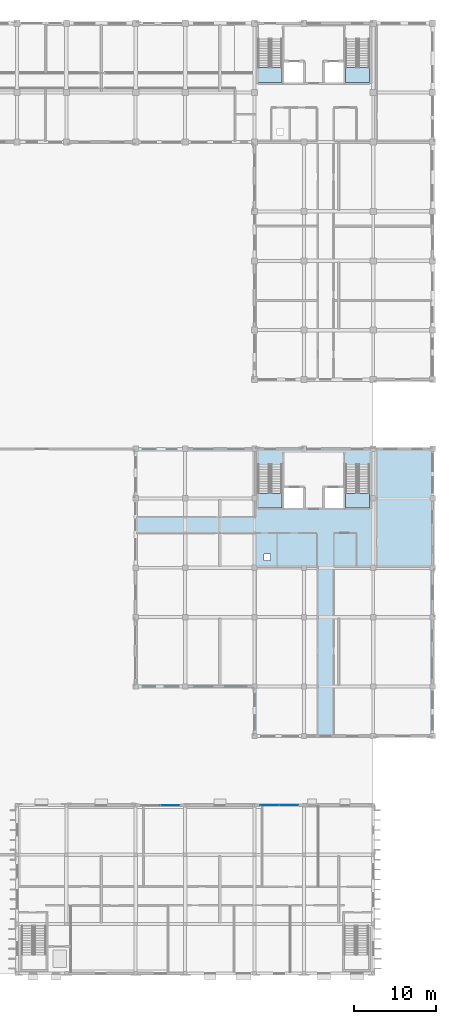
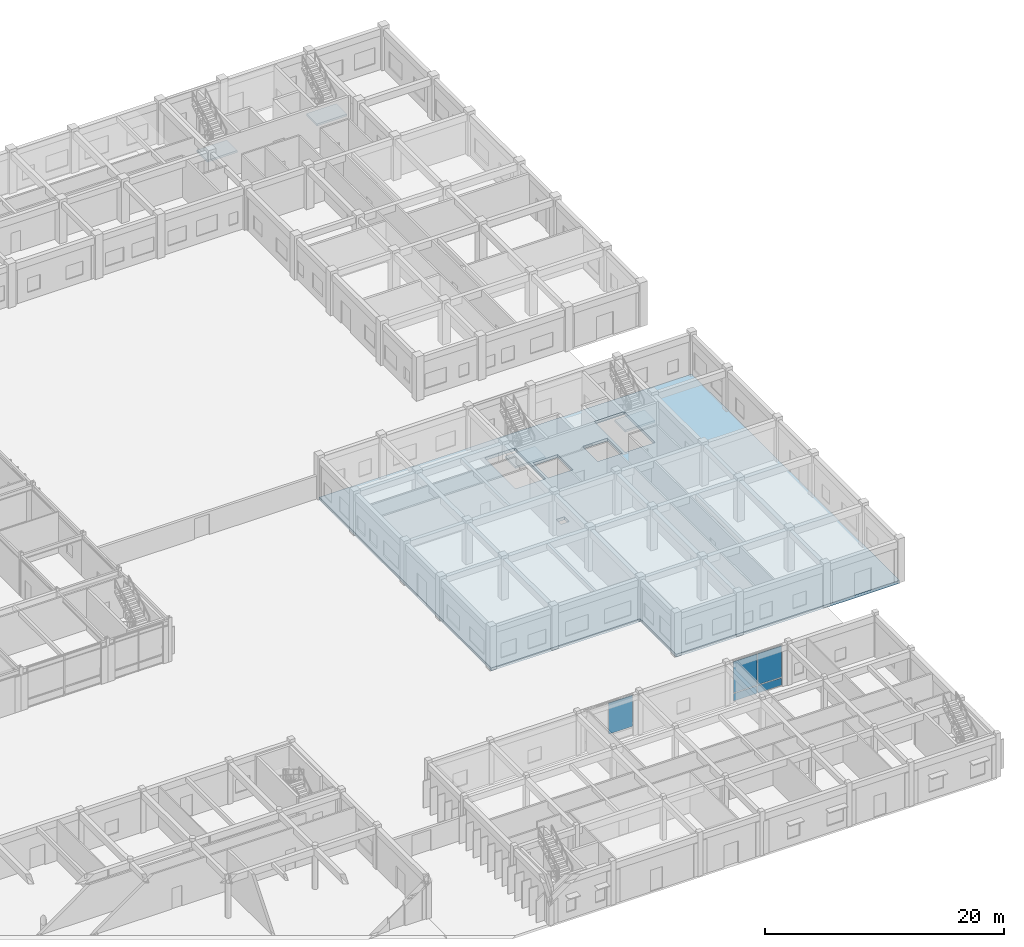
# One storey, part 25 of 67: 5 plates, 5 slabs, 6 elements without a shape of their own.
"""IFC4 building model written with IfcOpenShell, lengths in metres."""

from ifc_helpers import new_model, si_unit, direction, frame, origin, origin_2d, place, context, subcontext, project, spatial, polyline, rectangle, outline, extrude, material, layer, layer_set, type_object, element, aggregate, save


model = new_model("IFC4")

# Units and contexts
model_context = context("Model", 3, precision=1e-05, world=origin(), true_north=direction((0.0, 1.0)))
body_context = subcontext(model_context, "Body", "Model", "MODEL_VIEW")
ifc_project = project(units=[si_unit("LENGTHUNIT", "METRE"), si_unit("AREAUNIT", "SQUARE_METRE"), si_unit("VOLUMEUNIT", "CUBIC_METRE"), si_unit("PLANEANGLEUNIT", "RADIAN"), si_unit("MASSUNIT", "GRAM", prefix="KILO"), si_unit("THERMODYNAMICTEMPERATUREUNIT", "KELVIN")], contexts=[model_context])

# Site, building, storey
site_placement = place(None, origin())
site = spatial("IfcSite", under=ifc_project, at=site_placement, CompositionType="ELEMENT")
building_placement = place(site_placement, origin())
building = spatial("IfcBuilding", under=site, at=building_placement, Name="Thalorik Housing Commons", CompositionType="ELEMENT")
storey_placement = place(building_placement, origin())
storey = spatial("IfcBuildingStorey", under=building, at=storey_placement, Name="L00", CompositionType="ELEMENT", Elevation=0.0)

# Curtain wall, plates
ifc_material_1 = material(Name="Anodised aluminium and solar-control low-E glass", Category="aluminium")
curtain_wall_type = type_object("IfcCurtainWallType", Name="ARC-CW-CIVIC", PredefinedType="USERDEFINED", material=ifc_material_1)
curtain_wall_1_placement = place(storey_placement, origin())
curtain_wall_1 = element("IfcCurtainWall", 1, at=curtain_wall_1_placement, inside=storey, type_object=curtain_wall_type, Name="L00 Curtain Wall CW-NURS-L00-227", ObjectType="CURTAIN WALL", PredefinedType="USERDEFINED")
ifc_material_2 = material(Name="Acoustic laminated solar-control glass", Category="glass")
ifc_layer_1 = layer(ifc_material_2, 0.031982421875, Name="Acoustic laminated solar-control glass", Category="glass")
ifc_layer_set_1 = layer_set([ifc_layer_1], Name="Acoustic laminated solar-control glass")
plate_type_1 = type_object("IfcPlateType", Name="ARC-CP-GLZ-32", PredefinedType="CURTAIN_PANEL", material=ifc_layer_set_1)
plate_1_placement = place(storey_placement, frame((156.574951171875, 28.800048828125, 0.919921875), z_axis=(0.0, 0.0, 1.0), x_axis=(-1.0, 0.0, 0.0)))
plate_1 = element("IfcPlate", 2, at=plate_1_placement, type_object=plate_type_1, Name="CW-NURS-L00-227 Vision Panel 1", PredefinedType="CURTAIN_PANEL", context=body_context, shape_type="SweptSolid", body=[
    extrude(rectangle(XDim=2.2900390625, YDim=0.031982421875, at=origin_2d()), origin(), (0.0, 0.0, 1.0), 3.199951171875),
])
plate_2_placement = place(storey_placement, frame((154.22509765625, 28.800048828125, 0.919921875), z_axis=(0.0, 0.0, 1.0), x_axis=(-1.0, 0.0, 0.0)))
plate_2 = element("IfcPlate", 3, at=plate_2_placement, type_object=plate_type_1, Name="CW-NURS-L00-227 Vision Panel 2", PredefinedType="CURTAIN_PANEL", context=body_context, shape_type="SweptSolid", body=[
    extrude(rectangle(XDim=2.2900390625, YDim=0.031982421875, at=origin_2d()), origin(), (0.0, 0.0, 1.0), 3.199951171875),
])

# Curtain wall, plate
curtain_wall_2_placement = place(storey_placement, origin())
curtain_wall_2 = element("IfcCurtainWall", 4, at=curtain_wall_2_placement, inside=storey, type_object=curtain_wall_type, Name="L00 Curtain Wall CW-NURS-L00-228", ObjectType="CURTAIN WALL", PredefinedType="USERDEFINED")
plate_3_placement = place(storey_placement, frame((142.175048828125, 28.800048828125, 0.919921875), z_axis=(0.0, 0.0, 1.0), x_axis=(-1.0, 0.0, 0.0)))
plate_3 = element("IfcPlate", 5, at=plate_3_placement, type_object=plate_type_1, Name="CW-NURS-L00-228 Vision Panel 1", PredefinedType="CURTAIN_PANEL", context=body_context, shape_type="SweptSolid", body=[
    extrude(rectangle(XDim=2.2900390625, YDim=0.031982421875, at=origin_2d()), origin(), (0.0, 0.0, 1.0), 3.199951171875),
])
aggregate(curtain_wall_2, [plate_3])

# Plate
ifc_material_3 = material(Name="Oxide red enamelled aluminium spandrel panel", Category="aluminium")
ifc_layer_2 = layer(ifc_material_3, 0.0419921875, Name="Oxide red enamelled aluminium spandrel panel", Category="aluminium")
ifc_layer_set_2 = layer_set([ifc_layer_2], Name="Oxide red enamelled aluminium spandrel panel")
plate_type_2 = type_object("IfcPlateType", Name="ARC-CP-RED-42", PredefinedType="CURTAIN_PANEL", material=ifc_layer_set_2)
plate_4_placement = place(storey_placement, frame((156.574951171875, 28.800048828125, 0.080078125), z_axis=(0.0, 0.0, 1.0), x_axis=(-1.0, 0.0, 0.0)))
plate_4 = element("IfcPlate", 6, at=plate_4_placement, type_object=plate_type_2, Name="CW-NURS-L00-227 Spandrel Panel 1", PredefinedType="CURTAIN_PANEL", context=body_context, shape_type="SweptSolid", body=[
    extrude(rectangle(XDim=2.2900390625, YDim=0.0419921875, at=origin_2d()), origin(), (0.0, 0.0, 1.0), 0.760009765625),
])

plate_5_placement = place(storey_placement, frame((154.22509765625, 28.800048828125, 0.080078125), z_axis=(0.0, 0.0, 1.0), x_axis=(-1.0, 0.0, 0.0)))
plate_5 = element("IfcPlate", 7, at=plate_5_placement, type_object=plate_type_2, Name="CW-NURS-L00-227 Spandrel Panel 2", PredefinedType="CURTAIN_PANEL", context=body_context, shape_type="SweptSolid", body=[
    extrude(rectangle(XDim=2.2900390625, YDim=0.0419921875, at=origin_2d()), origin(), (0.0, 0.0, 1.0), 0.760009765625),
])

aggregate(curtain_wall_1, [plate_4, plate_1, plate_5, plate_2])

# Stair, slab
ifc_material_4 = material(Name="Precast concrete C40/50", Category="concrete")
stair_type = type_object("IfcStairType", Name="ARC-STR-1350-R26", PredefinedType="HALF_TURN_STAIR", material=ifc_material_4)
stair_1_placement = place(storey_placement, origin())
stair_1 = element("IfcStair", 8, at=stair_1_placement, inside=storey, type_object=stair_type, Name="L00 Block B Smoke-Proof Stair 1", PredefinedType="HALF_TURN_STAIR")
ifc_layer_3 = layer(ifc_material_4, 0.199951171875, Name="Precast concrete C40/50", Category="concrete")
ifc_layer_set_3 = layer_set([ifc_layer_3], Name="Precast concrete C40/50")
slab_type_1 = type_object("IfcSlabType", Name="ARC-SLB-STLND-200", PredefinedType="LANDING", material=ifc_layer_set_3)
slab_1_placement = place(storey_placement, frame((0.0, 0.0, 2.050048828125)))
slab_1 = element("IfcSlab", 9, at=slab_1_placement, type_object=slab_type_1, Name="ST-B1 landing 1", PredefinedType="LANDING", context=body_context, shape_type="SweptSolid", body=[
    extrude(outline(polyline([(152.85009765625, 118.219970703125), (152.85009765625, 116.449951171875), (155.75, 116.449951171875), (155.75, 118.219970703125), (152.85009765625, 118.219970703125)])), origin(), (0.0, 0.0, 1.0), 0.199951171875),
])
aggregate(stair_1, [slab_1])

stair_2_placement = place(storey_placement, origin())
stair_2 = element("IfcStair", 10, at=stair_2_placement, inside=storey, type_object=stair_type, Name="L00 Block B Smoke-Proof Stair 2", PredefinedType="HALF_TURN_STAIR")
slab_2_placement = place(storey_placement, frame((0.0, 0.0, 2.050048828125)))
slab_2 = element("IfcSlab", 11, at=slab_2_placement, type_object=slab_type_1, Name="ST-B2 landing 1", PredefinedType="LANDING", context=body_context, shape_type="SweptSolid", body=[
    extrude(outline(polyline([(163.449951171875, 118.219970703125), (163.449951171875, 116.449951171875), (166.35009765625, 116.449951171875), (166.35009765625, 118.219970703125), (163.449951171875, 118.219970703125)])), origin(), (0.0, 0.0, 1.0), 0.199951171875),
])
aggregate(stair_2, [slab_2])

stair_3_placement = place(storey_placement, origin())
stair_3 = element("IfcStair", 12, at=stair_3_placement, inside=storey, type_object=stair_type, Name="L00 Block D Smoke-Proof Stair 1", PredefinedType="HALF_TURN_STAIR")
slab_3_placement = place(storey_placement, frame((0.0, 0.0, 2.050048828125)))
slab_3 = element("IfcSlab", 13, at=slab_3_placement, type_object=slab_type_1, Name="ST-D1 landing 1", PredefinedType="LANDING", context=body_context, shape_type="SweptSolid", body=[
    extrude(outline(polyline([(152.85009765625, 66.6201171875), (152.85009765625, 64.85009765625), (155.75, 64.85009765625), (155.75, 66.6201171875), (152.85009765625, 66.6201171875)])), origin(), (0.0, 0.0, 1.0), 0.199951171875),
])
aggregate(stair_3, [slab_3])

stair_4_placement = place(storey_placement, origin())
stair_4 = element("IfcStair", 14, at=stair_4_placement, inside=storey, type_object=stair_type, Name="L00 Block D Smoke-Proof Stair 2", PredefinedType="HALF_TURN_STAIR")
slab_4_placement = place(storey_placement, frame((0.0, 0.0, 2.050048828125)))
slab_4 = element("IfcSlab", 15, at=slab_4_placement, type_object=slab_type_1, Name="ST-D2 landing 1", PredefinedType="LANDING", context=body_context, shape_type="SweptSolid", body=[
    extrude(outline(polyline([(163.449951171875, 66.6201171875), (163.449951171875, 64.85009765625), (166.35009765625, 64.85009765625), (166.35009765625, 66.6201171875), (163.449951171875, 66.6201171875)])), origin(), (0.0, 0.0, 1.0), 0.199951171875),
])
aggregate(stair_4, [slab_4])

# Slab
ifc_material_5 = material(Name="Precast concrete C45/55", Category="concrete")
ifc_layer_4 = layer(ifc_material_5, 0.300048828125, Name="Precast concrete C45/55", Category="concrete")
ifc_layer_set_4 = layer_set([ifc_layer_4], Name="Precast concrete C45/55")
slab_type_2 = type_object("IfcSlabType", Name="STR-SLB-POD-300", PredefinedType="FLOOR", material=ifc_layer_set_4)
slab_5_placement = place(storey_placement, frame((0.0, 0.0, -0.300048828125)))
element("IfcSlab", 16, at=slab_5_placement, inside=storey, type_object=slab_type_2, Name="L00 Residential Block D Floor Slab", PredefinedType="FLOOR", context=body_context, shape_type="SweptSolid", body=[
    extrude(outline(polyline([(152.39990234375, 43.199951171875), (152.39990234375, 37.199951171875), (174.0, 37.199951171875), (174.0, 72.0), (152.39990234375, 72.0), (138.0, 72.0), (138.0, 43.199951171875), (152.39990234375, 43.199951171875)]), holes=[polyline([(152.85009765625, 70.050048828125), (155.75, 70.050048828125), (155.75, 64.85009765625), (152.85009765625, 64.85009765625), (152.85009765625, 70.050048828125)]), polyline([(166.35009765625, 70.050048828125), (166.35009765625, 64.85009765625), (163.449951171875, 64.85009765625), (163.449951171875, 70.050048828125), (166.35009765625, 70.050048828125)]), polyline([(158.39990234375, 67.39990234375), (158.39990234375, 64.85009765625), (156.0, 64.85009765625), (156.0, 67.39990234375), (158.39990234375, 67.39990234375)]), polyline([(163.199951171875, 64.85009765625), (160.800048828125, 64.85009765625), (160.800048828125, 67.39990234375), (163.199951171875, 67.39990234375), (163.199951171875, 64.85009765625)]), polyline([(153.550048828125, 58.449951171875), (153.550048828125, 59.25), (154.35009765625, 59.25), (154.35009765625, 58.449951171875), (153.550048828125, 58.449951171875)])]), origin(), (0.0, 0.0, 1.0), 0.300048828125),
])

save(model, "model.ifc")
